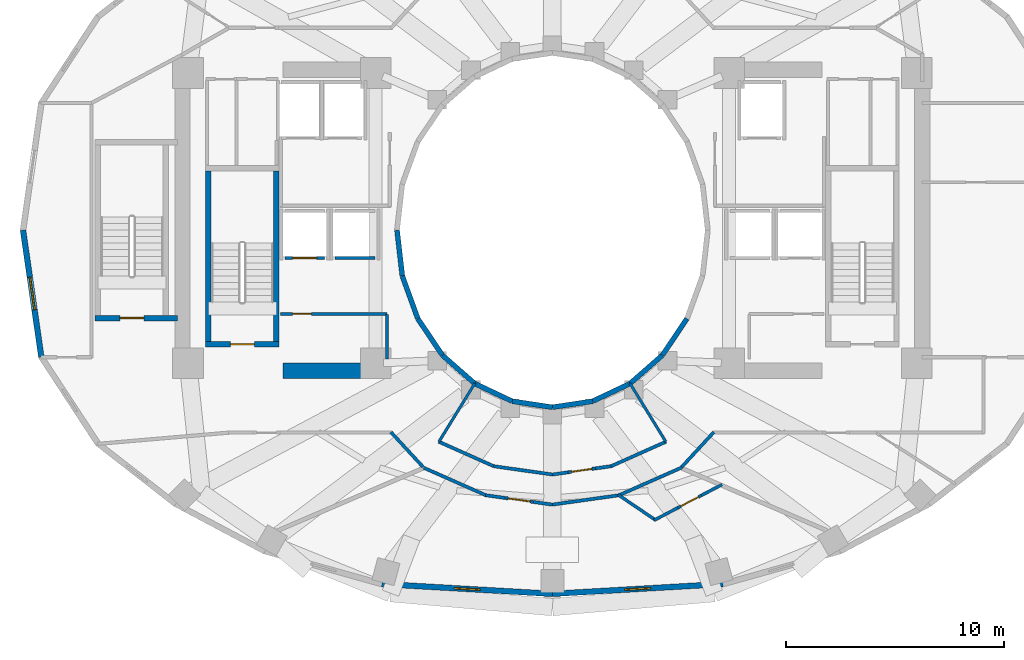
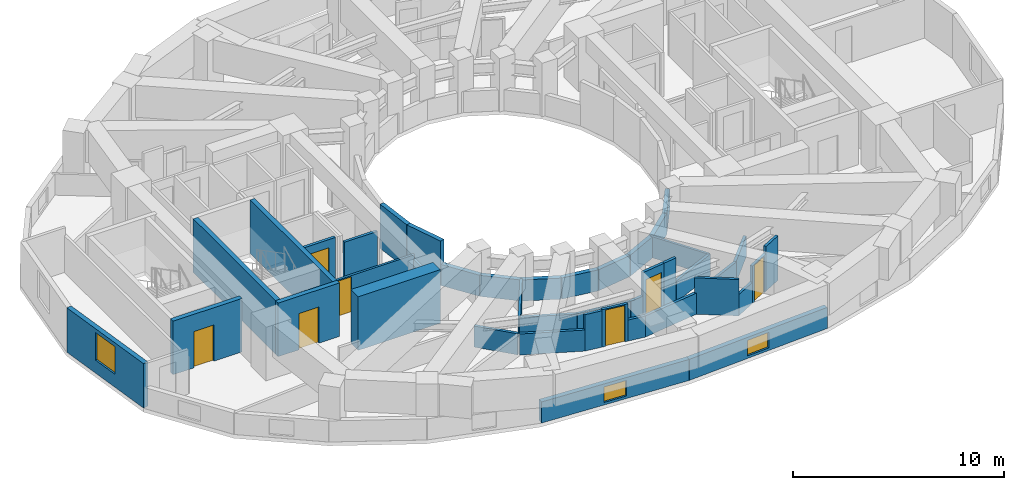
# One storey, part 3 of 9: 42 walls, 7 doors, 3 windows, 10 openings.
"""IFC4 building model written with IfcOpenShell, lengths in metres."""

import ifcopenshell
import ifcopenshell.guid

model = None  # the IFC model being written
_history = None  # IfcOwnerHistory: only IFC2X3 demands one
_inside = {}  # id of a spatial element -> (the spatial element, [elements in it])
_under = {}  # id of a project, library or spatial element -> (it, [spatial elements below it])
_declared = {}  # id of a project -> (the project, [libraries it declares])
_typed = {}  # id of a type object -> (the type object, [elements of that type])
_made_of = {}  # id of a material, layer set ... -> (it, [elements and type objects made of it])


def new_model(schema):
    """Start an empty IFC model of exactly this schema.

    Asked for "IFC4X3", IfcOpenShell would pick the latest addendum, in which some entities
    have other attributes; the version numbers below select the first issue.
    IFC2X3 requires an IfcOwnerHistory on every rooted entity: one is made here for all.
    """
    global model, _history
    if schema == "IFC4X3":
        model = ifcopenshell.file(schema_version=(4, 3, 0, 0))
    else:
        model = ifcopenshell.file(schema=schema)
    _inside.clear()
    _under.clear()
    _declared.clear()
    _typed.clear()
    _made_of.clear()
    _history = None
    if model.schema == "IFC2X3":
        org = make("IfcOrganization", Name="unknown")
        user = make(
            "IfcPersonAndOrganization",
            ThePerson=make("IfcPerson", FamilyName="unknown"),
            TheOrganization=org,
        )
        app = make(
            "IfcApplication",
            ApplicationDeveloper=org,
            Version="unknown",
            ApplicationFullName="unknown",
            ApplicationIdentifier="unknown",
        )
        _history = make(
            "IfcOwnerHistory",
            OwningUser=user,
            OwningApplication=app,
            ChangeAction="ADDED",
            CreationDate=0,
        )
    return model


def make(cls, **values):
    """One entity of the class cls with the attributes given. An attribute that is None is left unset."""
    return model.create_entity(
        cls, **{name: value for name, value in values.items() if value is not None}
    )


def rooted(cls, **values):
    """An entity with a GlobalId (a new one), such as an element, a storey or a relation."""
    return make(cls, GlobalId=ifcopenshell.guid.new(), OwnerHistory=_history, **values)


def si_unit(unit_type, name, prefix=None):
    """IfcSIUnit, for example si_unit("LENGTHUNIT", "METRE", prefix="MILLI")."""
    return make("IfcSIUnit", UnitType=unit_type, Prefix=prefix, Name=name)


def assignment(units):
    """IfcUnitAssignment: the units of a project."""
    return None if units is None else make("IfcUnitAssignment", Units=units)


def point(xyz):
    """IfcCartesianPoint."""
    return None if xyz is None else make("IfcCartesianPoint", Coordinates=xyz)


def direction(xyz):
    """IfcDirection."""
    return None if xyz is None else make("IfcDirection", DirectionRatios=xyz)


def frame(location, z_axis=None, x_axis=None):
    """IfcAxis2Placement3D, a coordinate frame: its origin and axes. An axis left out is left unset."""
    return make(
        "IfcAxis2Placement3D",
        Location=point(location),
        Axis=direction(z_axis),
        RefDirection=direction(x_axis),
    )


def frame_2d(location, x_axis=None):
    """IfcAxis2Placement2D, a coordinate frame in the plane: its origin and x axis."""
    return make(
        "IfcAxis2Placement2D", Location=point(location), RefDirection=direction(x_axis)
    )


def origin():
    """The frame at (0, 0, 0) with its axes left unset."""
    return frame((0.0, 0.0, 0.0))


def place(relative_to, where):
    """IfcLocalPlacement: puts the frame where relative to a parent placement (None: the world)."""
    return make(
        "IfcLocalPlacement", PlacementRelTo=relative_to, RelativePlacement=where
    )


def context(
    kind, dimensions, precision=None, world=None, true_north=None, identifier=None
):
    """IfcGeometricRepresentationContext, for example the 3D "Model" context."""
    return make(
        "IfcGeometricRepresentationContext",
        ContextIdentifier=identifier,
        ContextType=kind,
        CoordinateSpaceDimension=dimensions,
        Precision=precision,
        WorldCoordinateSystem=world,
        TrueNorth=true_north,
    )


def subcontext(parent, identifier, kind, view, scale=None):
    """IfcGeometricRepresentationSubContext, for example "Body" below "Model"."""
    return make(
        "IfcGeometricRepresentationSubContext",
        ContextIdentifier=identifier,
        ContextType=kind,
        ParentContext=parent,
        TargetScale=scale,
        TargetView=view,
    )


def project(units=None, contexts=None):
    """IfcProject with its units and contexts."""
    return rooted(
        "IfcProject",
        Name="project",
        RepresentationContexts=contexts,
        UnitsInContext=assignment(units),
    )


def spatial(cls, under=None, at=None, **own):
    """A site, building, storey or space (cls), placed at a placement, below another one or the project."""
    s = rooted(cls, ObjectPlacement=at, **own)
    if under is not None:
        _under.setdefault(under.id(), (under, []))[1].append(s)
    return s


def profile(cls, at=None, kind="AREA", **sizes):
    """A parametric profile (cls). Its sizes go by their IFC names, for example OverallWidth=200.0."""
    return make(cls, ProfileType=kind, Position=at, **sizes)


def rectangle(**sizes):
    """IfcRectangleProfileDef."""
    return profile("IfcRectangleProfileDef", **sizes)


def extrude(swept, where, along, depth):
    """IfcExtrudedAreaSolid: the profile swept, set in the frame where, extruded along a direction by depth."""
    return make(
        "IfcExtrudedAreaSolid",
        SweptArea=swept,
        Position=where,
        ExtrudedDirection=direction(along),
        Depth=depth,
    )


def shape(context_of_items, identifier, shape_type, items):
    """IfcShapeRepresentation: the items that make up one representation, for example the "Body"."""
    return make(
        "IfcShapeRepresentation",
        ContextOfItems=context_of_items,
        RepresentationIdentifier=identifier,
        RepresentationType=shape_type,
        Items=items,
    )


def material(Name=None, Category=None):
    """IfcMaterial."""
    return make("IfcMaterial", Name=Name, Category=Category)


def layer(
    of_material, thickness, ventilated=None, Name=None, Category=None, Priority=None
):
    """IfcMaterialLayer: one layer of a wall or slab, of a material (None: an air gap)."""
    return make(
        "IfcMaterialLayer",
        Material=of_material,
        LayerThickness=thickness,
        IsVentilated=ventilated,
        Name=Name,
        Category=Category,
        Priority=Priority,
    )


def layer_set(layers, Name=None):
    """IfcMaterialLayerSet."""
    return make("IfcMaterialLayerSet", MaterialLayers=layers, LayerSetName=Name)


def made_of(thing, what):
    """Note that an element or type object is made of a material, layer set ...; save() writes the relation."""
    if what is not None:
        _made_of.setdefault(what.id(), (what, []))[1].append(thing)
    return thing


def type_object(cls, material=None, **own):
    """A type object (cls), such as IfcWallType, which elements share."""
    return made_of(rooted(cls, **own), material)


def element(
    cls,
    number,
    at=None,
    inside=None,
    cuts=None,
    type_object=None,
    material=None,
    context=None,
    identifier="Body",
    shape_type=None,
    held_by="IfcProductDefinitionShape",
    body=None,
    shapes=None,
    **own,
):
    """One element of the class cls, such as IfcWall. Its Tag is "e" and its number.

    at: its placement. inside: the storey or other place that contains it. cuts: it is an
    opening in that element (IfcRelVoidsElement). A single representation is given by context,
    identifier, shape_type and body (its items); several are given by shapes. held_by: the class
    of the entity that holds the representations. save() writes the other relations.
    """
    e = rooted(cls, Tag="e%d" % number, ObjectPlacement=at, **own)
    if body is not None:
        shapes = [shape(context, identifier, shape_type, body)]
    if shapes is not None:
        e.Representation = make(held_by, Representations=shapes)
    if inside is not None:
        _inside.setdefault(inside.id(), (inside, []))[1].append(e)
    if cuts is not None:
        rooted(
            "IfcRelVoidsElement", RelatingBuildingElement=cuts, RelatedOpeningElement=e
        )
    if type_object is not None:
        _typed.setdefault(type_object.id(), (type_object, []))[1].append(e)
    return made_of(e, material)


def fill(opening, filler):
    """IfcRelFillsElement: the door or window that sits in an opening."""
    return rooted(
        "IfcRelFillsElement",
        RelatingOpeningElement=opening,
        RelatedBuildingElement=filler,
    )


def aggregate(whole, parts):
    """IfcRelAggregates: a whole, such as a stair, and the parts it consists of."""
    return rooted("IfcRelAggregates", RelatingObject=whole, RelatedObjects=parts)


def save(model, path):
    """Write the relations noted so far, then the file.

    IfcRelAggregates (storeys below a building ...), IfcRelContainedInSpatialStructure (elements
    in a storey), IfcRelDefinesByType, IfcRelAssociatesMaterial and IfcRelDeclares: one each for
    every whole, place, type object, material and project.
    """
    for whole, parts in _under.values():
        aggregate(whole, parts)
    for where, things in _inside.values():
        rooted(
            "IfcRelContainedInSpatialStructure",
            RelatedElements=things,
            RelatingStructure=where,
        )
    for kind, things in _typed.values():
        rooted("IfcRelDefinesByType", RelatedObjects=things, RelatingType=kind)
    for what, things in _made_of.values():
        rooted("IfcRelAssociatesMaterial", RelatedObjects=things, RelatingMaterial=what)
    for by, libraries in _declared.values():
        rooted("IfcRelDeclares", RelatingContext=by, RelatedDefinitions=libraries)
    model.write(path)


model = new_model("IFC4")

# Units and contexts
model_context = context("Model", 3, precision=1e-05, world=origin(), true_north=direction((0.0, 1.0)))
body_context = subcontext(model_context, "Body", "Model", "MODEL_VIEW")
ifc_project = project(units=[si_unit("LENGTHUNIT", "METRE"), si_unit("AREAUNIT", "SQUARE_METRE"), si_unit("VOLUMEUNIT", "CUBIC_METRE"), si_unit("PLANEANGLEUNIT", "RADIAN"), si_unit("MASSUNIT", "GRAM", prefix="KILO")], contexts=[model_context])

# Site, building, storey
site_placement = place(None, origin())
site = spatial("IfcSite", under=ifc_project, at=site_placement, CompositionType="ELEMENT")
building_placement = place(site_placement, origin())
building = spatial("IfcBuilding", under=site, at=building_placement, Name="Solvane Sanctuary Tower", CompositionType="ELEMENT")
storey_placement = place(building_placement, frame((0.0, 0.0, 125.89990234375)))
storey = spatial("IfcBuildingStorey", under=building, at=storey_placement, Name="L38", CompositionType="ELEMENT", Elevation=125.89990234375)

# Walls
ifc_material_1 = material(Name="Concrete C60/75", Category="concrete")
ifc_layer_1 = layer(ifc_material_1, 0.699951171875, Name="Concrete C60/75")
ifc_layer_set_1 = layer_set([ifc_layer_1], Name="Concrete C60/75")
wall_type_1 = type_object("IfcWallType", Name="Wall W-CORE-700", PredefinedType="SHEAR", material=ifc_layer_set_1)
wall_1_placement = place(storey_placement, frame((19.64990234375, 16.550048828125, 0.0), z_axis=(0.0, 0.0, 1.0), x_axis=(1.0, 0.0, 0.0)))
element("IfcWall", 1, at=wall_1_placement, inside=storey, type_object=wall_type_1, Name="L38 Core Shear Wall WC-S", PredefinedType="SHEAR", context=body_context, shape_type="SweptSolid", body=[
    extrude(rectangle(XDim=4.5, YDim=0.699951171875, at=frame_2d((2.25, 0.0))), origin(), (0.0, 0.0, 1.0), 3.10009765625),
])
ifc_material_2 = material(Name="Acoustic Gypsum Partition Board")
ifc_layer_2 = layer(ifc_material_2, 0.14990234375, Name="Acoustic Gypsum Partition Board")
ifc_layer_set_2 = layer_set([ifc_layer_2], Name="Acoustic Gypsum Partition Board")
wall_type_2 = type_object("IfcWallType", Name="Wall W-CORR-150", PredefinedType="PARTITIONING", material=ifc_layer_set_2)
for number, where, z_axis, x_axis, name in (
    (2, (26.07177734375, 12.144287109375, 0.0), (0.0, 0.0, 1.0), (-0.677579737957, 0.735449317567, 0.0), "L38 SW Corner Throat Wall"),
    (3, (37.92822265625, 12.144287109375, 0.0), (0.0, 0.0, 1.0), (0.677579737957, 0.735449317567, 0.0), "L38 SE Corner Throat Wall"),
):
    element("IfcWall", number, at=place(storey_placement, frame(where, z_axis=z_axis, x_axis=x_axis)), inside=storey, type_object=wall_type_2, Name=name, PredefinedType="PARTITIONING", context=body_context, shape_type="SweptSolid", body=[
        extrude(rectangle(XDim=2.172607421875, YDim=0.14990234375, at=frame_2d((1.08642578125, 0.0))), origin(), (0.0, 0.0, 1.0), 1.22021484375),
    ])
wall_2_placement = place(storey_placement, frame((26.792724609375, 13.302734375, 0.0), z_axis=(0.0, 0.0, 1.0), x_axis=(0.913145536541, -0.407633694749, 0.0)))
element("IfcWall", 4, at=wall_2_placement, inside=storey, type_object=wall_type_2, Name="L38 Inner Light-Well Corridor Wall S1", PredefinedType="PARTITIONING", context=body_context, shape_type="SweptSolid", body=[
    extrude(rectangle(XDim=2.75634765625, YDim=0.14990234375, at=frame_2d((1.378173828125, 0.0))), origin(), (0.0, 0.0, 1.0), 1.22021484375),
])
wall_3_placement = place(storey_placement, frame((29.305908203125, 12.18017578125, 0.0), z_axis=(0.0, 0.0, 1.0), x_axis=(0.990104912094, -0.14032912402, 0.0)))
element("IfcWall", 5, at=wall_3_placement, inside=storey, type_object=wall_type_2, Name="L38 Inner Light-Well Corridor Wall S1", PredefinedType="PARTITIONING", context=body_context, shape_type="SweptSolid", body=[
    extrude(rectangle(XDim=2.72265625, YDim=0.14990234375, at=frame_2d((1.361328125, 0.0))), origin(), (0.0, 0.0, 1.0), 1.22021484375),
])
wall_4_placement = place(storey_placement, frame((31.998291015625, 11.798095703125, 0.0), z_axis=(0.0, 0.0, 1.0), x_axis=(0.990123563804, 0.140197462175, 0.0)))
element("IfcWall", 6, at=wall_4_placement, inside=storey, type_object=wall_type_2, Name="L38 Inner Light-Well Corridor Wall S1", PredefinedType="PARTITIONING", context=body_context, shape_type="SweptSolid", body=[
    extrude(rectangle(XDim=0.72607421875, YDim=0.14990234375, at=frame_2d((0.363037109375, 0.0))), origin(), (0.0, 0.0, 1.0), 1.22021484375),
])

# Wall, opening, door
wall_5_placement = place(storey_placement, frame((32.71728515625, 11.89990234375, 0.0), z_axis=(0.0, 0.0, 1.0), x_axis=(0.990106496241, 0.140317946468, 0.0)))
wall_5 = element("IfcWall", 7, at=wall_5_placement, inside=storey, type_object=wall_type_2, Name="L38 Inner Light-Well Corridor Wall S1", PredefinedType="PARTITIONING", context=body_context, shape_type="SweptSolid", body=[
    extrude(rectangle(XDim=1.27001953125, YDim=0.14990234375, at=frame_2d((0.635009765625, 0.0))), origin(), (0.0, 0.0, 1.0), 2.5751953125),
])
opening_1_placement = place(wall_5_placement, frame((0.159912109375, 0.0, 0.0)))
opening_1 = element("IfcOpeningElement", 8, at=opening_1_placement, cuts=wall_5, Name="Opening D-L38-22", PredefinedType="OPENING", context=body_context, shape_type="SweptSolid", body=[
    extrude(rectangle(XDim=0.949951171875, YDim=2.10009765625, at=frame_2d((0.47509765625, 1.050048828125))), frame((0.0, 0.0849609375, 0.0), z_axis=(0.0, -1.0, 0.0), x_axis=(1.0, 0.0, 0.0)), (0.0, 0.0, 1.0), 0.169921875),
])
ifc_material_3 = material(Name="Engineered Tropical Hardwood", Category="wood")
door_type_1 = type_object("IfcDoorType", Name="Door D-ROOM-950", OperationType="NOTDEFINED", PredefinedType="DOOR", material=ifc_material_3)
door_1_placement = place(opening_1_placement, origin())
door_1 = element("IfcDoor", 9, at=door_1_placement, inside=storey, type_object=door_type_1, Name="L38 Inner Light-Well Salon Door S1", OperationType="SINGLE_SWING_RIGHT", OverallHeight=2.10009765625, OverallWidth=0.949951171875, PredefinedType="DOOR", context=body_context, shape_type="SweptSolid", body=[
    extrude(rectangle(XDim=0.949951171875, YDim=2.10009765625, at=frame_2d((0.47509765625, 1.050048828125))), frame((0.0, 0.02490234375, 0.0), z_axis=(0.0, -1.0, 0.0), x_axis=(1.0, 0.0, 0.0)), (0.0, 0.0, 1.0), 0.050048828125),
])
fill(opening_1, door_1)

# Walls
wall_6_placement = place(storey_placement, frame((33.974853515625, 12.078125, 0.0), z_axis=(0.0, 0.0, 1.0), x_axis=(0.990083477296, 0.140480276141, 0.0)))
element("IfcWall", 10, at=wall_6_placement, inside=storey, type_object=wall_type_2, Name="L38 Inner Light-Well Corridor Wall S1", PredefinedType="PARTITIONING", context=body_context, shape_type="SweptSolid", body=[
    extrude(rectangle(XDim=0.7265625, YDim=0.14990234375, at=frame_2d((0.36328125, 0.0))), origin(), (0.0, 0.0, 1.0), 2.5751953125),
])
wall_7_placement = place(storey_placement, frame((34.6904296875, 12.17919921875, 0.0), z_axis=(0.0, 0.0, 1.0), x_axis=(0.913145536541, 0.407633694749, 0.0)))
element("IfcWall", 11, at=wall_7_placement, inside=storey, type_object=wall_type_2, Name="L38 Inner Light-Well Corridor Wall S1", PredefinedType="PARTITIONING", context=body_context, shape_type="SweptSolid", body=[
    extrude(rectangle(XDim=2.75634765625, YDim=0.14990234375, at=frame_2d((1.378173828125, 0.0))), origin(), (0.0, 0.0, 1.0), 1.22021484375),
])
wall_8_placement = place(storey_placement, frame((35.003662109375, 10.826416015625, 0.0), z_axis=(0.0, 0.0, 1.0), x_axis=(0.914532088467, 0.404513360922, 0.0)))
element("IfcWall", 12, at=wall_8_placement, inside=storey, type_object=wall_type_2, Name="L38 En-suite Inner Wall S1", PredefinedType="PARTITIONING", context=body_context, shape_type="SweptSolid", body=[
    extrude(rectangle(XDim=3.207275390625, YDim=0.14990234375, at=frame_2d((1.603515625, 0.0))), origin(), (0.0, 0.0, 1.0), 1.22021484375),
])
wall_9_placement = place(storey_placement, frame((26.101806640625, 12.108154296875, 0.0), z_axis=(0.0, 0.0, 1.0), x_axis=(0.914519212393, -0.40454247016, 0.0)))
element("IfcWall", 13, at=wall_9_placement, inside=storey, type_object=wall_type_2, Name="L38 Unit Corridor Wall S1", PredefinedType="PARTITIONING", context=body_context, shape_type="SweptSolid", body=[
    extrude(rectangle(XDim=3.123779296875, YDim=0.14990234375, at=frame_2d((1.56201171875, 0.0))), origin(), (0.0, 0.0, 1.0), 1.22021484375),
])
wall_10_placement = place(storey_placement, frame((28.942626953125, 10.84912109375, 0.0), z_axis=(0.0, 0.0, 1.0), x_axis=(0.990238800444, -0.139381197064, 0.0)))
element("IfcWall", 14, at=wall_10_placement, inside=storey, type_object=wall_type_2, Name="L38 Unit Corridor Wall S1", PredefinedType="PARTITIONING", context=body_context, shape_type="SweptSolid", body=[
    extrude(rectangle(XDim=0.88818359375, YDim=0.14990234375, at=frame_2d((0.444091796875, 0.0))), origin(), (0.0, 0.0, 1.0), 2.10498046875),
])

# Wall, opening, door
wall_11_placement = place(storey_placement, frame((29.822021484375, 10.725341796875, 0.0), z_axis=(0.0, 0.0, 1.0), x_axis=(0.990250599082, -0.139297347489, 0.0)))
wall_11 = element("IfcWall", 15, at=wall_11_placement, inside=storey, type_object=wall_type_2, Name="L38 Unit Corridor Wall S1", PredefinedType="PARTITIONING", context=body_context, shape_type="SweptSolid", body=[
    extrude(rectangle(XDim=1.31982421875, YDim=0.14990234375, at=frame_2d((0.659912109375, 0.0))), origin(), (0.0, 0.0, 1.0), 2.16015625),
])
opening_2_placement = place(wall_11_placement, frame((0.159912109375, 0.0, 0.0)))
opening_2 = element("IfcOpeningElement", 16, at=opening_2_placement, cuts=wall_11, Name="Opening D-L38-28", PredefinedType="OPENING", context=body_context, shape_type="SweptSolid", body=[
    extrude(rectangle(XDim=1.0, YDim=2.10009765625, at=frame_2d((0.5, 1.050048828125))), frame((0.0, 0.0849609375, 0.0), z_axis=(0.0, -1.0, 0.0), x_axis=(1.0, 0.0, 0.0)), (0.0, 0.0, 1.0), 0.169921875),
])
door_type_2 = type_object("IfcDoorType", Name="Door D-UNIT", OperationType="NOTDEFINED", PredefinedType="DOOR", material=ifc_material_3)
door_2_placement = place(opening_2_placement, origin())
door_2 = element("IfcDoor", 17, at=door_2_placement, inside=storey, type_object=door_type_2, Name="L38 Unit Entrance Door S1", OperationType="SINGLE_SWING_RIGHT", OverallHeight=2.10009765625, OverallWidth=1.0, PredefinedType="DOOR", context=body_context, shape_type="SweptSolid", body=[
    extrude(rectangle(XDim=1.0, YDim=2.10009765625, at=frame_2d((0.5, 1.050048828125))), frame((0.0, 0.02490234375, 0.0), z_axis=(0.0, -1.0, 0.0), x_axis=(1.0, 0.0, 0.0)), (0.0, 0.0, 1.0), 0.050048828125),
])
fill(opening_2, door_2)

# Walls
wall_12_placement = place(storey_placement, frame((31.12890625, 10.54150390625, 0.0), z_axis=(0.0, 0.0, 1.0), x_axis=(0.990276708961, -0.139111608755, 0.0)))
element("IfcWall", 18, at=wall_12_placement, inside=storey, type_object=wall_type_2, Name="L38 Unit Corridor Wall S1", PredefinedType="PARTITIONING", context=body_context, shape_type="SweptSolid", body=[
    extrude(rectangle(XDim=0.887939453125, YDim=0.14990234375, at=frame_2d((0.44384765625, 0.0))), origin(), (0.0, 0.0, 1.0), 1.22021484375),
])
wall_13_placement = place(storey_placement, frame((31.99169921875, 10.41796875, 0.0), z_axis=(0.0, 0.0, 1.0), x_axis=(0.990254709652, 0.13926812274, 0.0)))
element("IfcWall", 19, at=wall_13_placement, inside=storey, type_object=wall_type_2, Name="L38 Unit Corridor Wall S1", PredefinedType="PARTITIONING", context=body_context, shape_type="SweptSolid", body=[
    extrude(rectangle(XDim=3.095947265625, YDim=0.14990234375, at=frame_2d((1.5478515625, 0.0))), origin(), (0.0, 0.0, 1.0), 1.22021484375),
])

# Wall, opening, window
ifc_material_4 = material(Name="Precast concrete C40/50", Category="concrete")
ifc_layer_3 = layer(ifc_material_4, 0.260009765625, Name="Precast concrete C40/50")
ifc_layer_set_3 = layer_set([ifc_layer_3], Name="Precast concrete C40/50")
wall_type_3 = type_object("IfcWallType", Name="Wall W-EXT-250", PredefinedType="STANDARD", material=ifc_layer_set_3)
wall_14_placement = place(storey_placement, frame((7.739990234375, 23.0, 0.0), z_axis=(0.0, 0.0, 1.0), x_axis=(0.142572472068, -0.98978436551, 0.0)))
wall_14 = element("IfcWall", 20, at=wall_14_placement, inside=storey, type_object=wall_type_3, Name="L38 Ceramic-Printed Facade Wall 12", PredefinedType="STANDARD", context=body_context, shape_type="SweptSolid", body=[
    extrude(rectangle(XDim=5.878662109375, YDim=0.260009765625, at=frame_2d((2.939453125, 0.0))), origin(), (0.0, 0.0, 1.0), 2.570068359375),
])
opening_3_placement = place(wall_14_placement, frame((2.189453125, 0.0, 0.75)))
opening_3 = element("IfcOpeningElement", 21, at=opening_3_placement, cuts=wall_14, Name="Opening WN-OPER-1500", PredefinedType="OPENING", context=body_context, shape_type="SweptSolid", body=[
    extrude(rectangle(XDim=1.5, YDim=1.60009765625, at=frame_2d((0.75, 0.800048828125))), frame((0.0, 0.139892578125, 0.0), z_axis=(0.0, -1.0, 0.0), x_axis=(1.0, 0.0, 0.0)), (0.0, 0.0, 1.0), 0.280029296875),
])
ifc_material_5 = material(Name="Dark Ceramic-Fritted Low-E Glass", Category="glass")
window_type_1 = type_object("IfcWindowType", Name="Window WN-OPER-1500", PartitioningType="SINGLE_PANEL", PredefinedType="WINDOW", material=ifc_material_5)
window_1_placement = place(opening_3_placement, origin())
window_1 = element("IfcWindow", 22, at=window_1_placement, inside=storey, type_object=window_type_1, Name="L38 Operable Facade Window 12", OverallHeight=1.60009765625, OverallWidth=1.5, PartitioningType="SINGLE_PANEL", PredefinedType="WINDOW", context=body_context, shape_type="SweptSolid", body=[
    extrude(rectangle(XDim=1.5, YDim=1.60009765625, at=frame_2d((0.75, 0.800048828125))), frame((0.0, 0.030029296875, 0.0), z_axis=(0.0, -1.0, 0.0), x_axis=(1.0, 0.0, 0.0)), (0.0, 0.0, 1.0), 0.06005859375),
])
fill(opening_3, window_1)

wall_15_placement = place(storey_placement, frame((24.18359375, 6.7783203125, 0.0), z_axis=(0.0, 0.0, 1.0), x_axis=(0.998352606703, -0.057376586592, 0.0)))
wall_15 = element("IfcWall", 23, at=wall_15_placement, inside=storey, type_object=wall_type_3, Name="L38 Ceramic-Printed Facade Wall 17", PredefinedType="STANDARD", context=body_context, shape_type="SweptSolid", body=[
    extrude(rectangle(XDim=7.829345703125, YDim=0.260009765625, at=frame_2d((3.91455078125, 0.0))), origin(), (0.0, 0.0, 1.0), 1.22021484375),
])
opening_4_placement = place(wall_15_placement, frame((3.314697265625, 0.0, 0.14990234375)))
opening_4 = element("IfcOpeningElement", 24, at=opening_4_placement, cuts=wall_15, Name="Opening WN-OPER-1200", PredefinedType="OPENING", context=body_context, shape_type="SweptSolid", body=[
    extrude(rectangle(XDim=1.199951171875, YDim=0.89990234375, at=frame_2d((0.60009765625, 0.449951171875))), frame((0.0, 0.139892578125, 0.0), z_axis=(0.0, -1.0, 0.0), x_axis=(1.0, 0.0, 0.0)), (0.0, 0.0, 1.0), 0.280029296875),
])
window_type_2 = type_object("IfcWindowType", Name="Window WN-OPER-1200", PartitioningType="SINGLE_PANEL", PredefinedType="WINDOW", material=ifc_material_5)
window_2_placement = place(opening_4_placement, origin())
window_2 = element("IfcWindow", 25, at=window_2_placement, inside=storey, type_object=window_type_2, Name="L38 Operable Facade Window 17", OverallHeight=0.89990234375, OverallWidth=1.199951171875, PartitioningType="SINGLE_PANEL", PredefinedType="WINDOW", context=body_context, shape_type="SweptSolid", body=[
    extrude(rectangle(XDim=1.199951171875, YDim=0.89990234375, at=frame_2d((0.60009765625, 0.449951171875))), frame((0.0, 0.030029296875, 0.0), z_axis=(0.0, -1.0, 0.0), x_axis=(1.0, 0.0, 0.0)), (0.0, 0.0, 1.0), 0.06005859375),
])
fill(opening_4, window_2)

wall_16_placement = place(storey_placement, frame((32.0, 6.3291015625, 0.0), z_axis=(0.0, 0.0, 1.0), x_axis=(0.998352606703, 0.057376586592, 0.0)))
wall_16 = element("IfcWall", 26, at=wall_16_placement, inside=storey, type_object=wall_type_3, Name="L38 Ceramic-Printed Facade Wall 18", PredefinedType="STANDARD", context=body_context, shape_type="SweptSolid", body=[
    extrude(rectangle(XDim=7.829345703125, YDim=0.260009765625, at=frame_2d((3.91455078125, 0.0))), origin(), (0.0, 0.0, 1.0), 1.22021484375),
])
opening_5_placement = place(wall_16_placement, frame((3.314697265625, 0.0, 0.14990234375)))
opening_5 = element("IfcOpeningElement", 27, at=opening_5_placement, cuts=wall_16, Name="Opening WN-OPER-1200", PredefinedType="OPENING", context=body_context, shape_type="SweptSolid", body=[
    extrude(rectangle(XDim=1.199951171875, YDim=0.89990234375, at=frame_2d((0.60009765625, 0.449951171875))), frame((0.0, 0.139892578125, 0.0), z_axis=(0.0, -1.0, 0.0), x_axis=(1.0, 0.0, 0.0)), (0.0, 0.0, 1.0), 0.280029296875),
])
window_3_placement = place(opening_5_placement, origin())
window_3 = element("IfcWindow", 28, at=window_3_placement, inside=storey, type_object=window_type_2, Name="L38 Operable Facade Window 18", OverallHeight=0.89990234375, OverallWidth=1.199951171875, PartitioningType="SINGLE_PANEL", PredefinedType="WINDOW", context=body_context, shape_type="SweptSolid", body=[
    extrude(rectangle(XDim=1.199951171875, YDim=0.89990234375, at=frame_2d((0.60009765625, 0.449951171875))), frame((0.0, 0.030029296875, 0.0), z_axis=(0.0, -1.0, 0.0), x_axis=(1.0, 0.0, 0.0)), (0.0, 0.0, 1.0), 0.06005859375),
])
fill(opening_5, window_3)

# Walls
ifc_layer_4 = layer(ifc_material_4, 0.22998046875, Name="Precast concrete C40/50")
ifc_layer_set_4 = layer_set([ifc_layer_4], Name="Precast concrete C40/50")
wall_type_4 = type_object("IfcWallType", Name="Wall W-EXT-SP220", PredefinedType="STANDARD", material=ifc_layer_set_4)
wall_17_placement = place(storey_placement, frame((24.8798828125, 23.0, 0.0), z_axis=(0.0, 0.0, 1.0), x_axis=(0.114711713601, -0.993398823617, 0.0)))
element("IfcWall", 29, at=wall_17_placement, inside=storey, type_object=wall_type_4, Name="L38 Central Light-Well Wall 12", PredefinedType="STANDARD", context=body_context, shape_type="SweptSolid", body=[
    extrude(rectangle(XDim=2.115478515625, YDim=0.22998046875, at=frame_2d((1.0576171875, 0.0))), origin(), (0.0, 0.0, 1.0), 2.56005859375),
])
wall_18_placement = place(storey_placement, frame((25.12255859375, 20.8984375, 0.0), z_axis=(0.0, 0.0, 1.0), x_axis=(0.341423187295, -0.93990968033, 0.0)))
element("IfcWall", 30, at=wall_18_placement, inside=storey, type_object=wall_type_4, Name="L38 Central Light-Well Wall 13", PredefinedType="STANDARD", context=body_context, shape_type="SweptSolid", body=[
    extrude(rectangle(XDim=2.083740234375, YDim=0.22998046875, at=frame_2d((1.0419921875, 0.0))), origin(), (0.0, 0.0, 1.0), 2.56005859375),
])
wall_19_placement = place(storey_placement, frame((25.833984375, 18.93994140625, 0.0), z_axis=(0.0, 0.0, 1.0), x_axis=(0.558197800898, -0.829707909492, 0.0)))
element("IfcWall", 31, at=wall_19_placement, inside=storey, type_object=wall_type_4, Name="L38 Central Light-Well Wall 14", PredefinedType="STANDARD", context=body_context, shape_type="SweptSolid", body=[
    extrude(rectangle(XDim=2.02685546875, YDim=0.22998046875, at=frame_2d((1.013427734375, 0.0))), origin(), (0.0, 0.0, 1.0), 1.22021484375),
])
wall_20_placement = place(storey_placement, frame((26.96533203125, 17.25830078125, 0.0), z_axis=(0.0, 0.0, 1.0), x_axis=(0.752576694707, -0.658504607869, 0.0)))
element("IfcWall", 32, at=wall_20_placement, inside=storey, type_object=wall_type_4, Name="L38 Central Light-Well Wall 15", PredefinedType="STANDARD", context=body_context, shape_type="SweptSolid", body=[
    extrude(rectangle(XDim=1.95947265625, YDim=0.22998046875, at=frame_2d((0.979736328125, 0.0))), origin(), (0.0, 0.0, 1.0), 1.22021484375),
])
wall_21_placement = place(storey_placement, frame((28.43994140625, 15.968017578125, 0.0), z_axis=(0.0, 0.0, 1.0), x_axis=(0.904179699603, -0.427152280606, 0.0)))
element("IfcWall", 33, at=wall_21_placement, inside=storey, type_object=wall_type_4, Name="L38 Central Light-Well Wall 16", PredefinedType="STANDARD", context=body_context, shape_type="SweptSolid", body=[
    extrude(rectangle(XDim=1.899169921875, YDim=0.22998046875, at=frame_2d((0.94970703125, 0.0))), origin(), (0.0, 0.0, 1.0), 1.22021484375),
])
for number, where, z_axis, x_axis, name in (
    (34, (30.1572265625, 15.15673828125, 0.0), (0.0, 0.0, 1.0), (0.988901730308, -0.148571086668, 0.0), "L38 Central Light-Well Wall 17"),
    (35, (32.0, 14.8798828125, 0.0), (0.0, 0.0, 1.0), (0.988901730308, 0.148571086668, 0.0), "L38 Central Light-Well Wall 18"),
):
    element("IfcWall", number, at=place(storey_placement, frame(where, z_axis=z_axis, x_axis=x_axis)), inside=storey, type_object=wall_type_4, Name=name, PredefinedType="STANDARD", context=body_context, shape_type="SweptSolid", body=[
        extrude(rectangle(XDim=1.863525390625, YDim=0.22998046875, at=frame_2d((0.931640625, 0.0))), origin(), (0.0, 0.0, 1.0), 1.22021484375),
    ])
wall_22_placement = place(storey_placement, frame((33.8427734375, 15.15673828125, 0.0), z_axis=(0.0, 0.0, 1.0), x_axis=(0.904179699603, 0.427152280606, 0.0)))
element("IfcWall", 36, at=wall_22_placement, inside=storey, type_object=wall_type_4, Name="L38 Central Light-Well Wall 19", PredefinedType="STANDARD", context=body_context, shape_type="SweptSolid", body=[
    extrude(rectangle(XDim=1.899169921875, YDim=0.22998046875, at=frame_2d((0.94970703125, 0.0))), origin(), (0.0, 0.0, 1.0), 1.22021484375),
])
wall_23_placement = place(storey_placement, frame((35.56005859375, 15.968017578125, 0.0), z_axis=(0.0, 0.0, 1.0), x_axis=(0.752576694707, 0.658504607869, 0.0)))
element("IfcWall", 37, at=wall_23_placement, inside=storey, type_object=wall_type_4, Name="L38 Central Light-Well Wall 20", PredefinedType="STANDARD", context=body_context, shape_type="SweptSolid", body=[
    extrude(rectangle(XDim=1.95947265625, YDim=0.22998046875, at=frame_2d((0.979736328125, 0.0))), origin(), (0.0, 0.0, 1.0), 1.22021484375),
])
wall_24_placement = place(storey_placement, frame((37.03466796875, 17.25830078125, 0.0), z_axis=(0.0, 0.0, 1.0), x_axis=(0.558197800898, 0.829707909492, 0.0)))
element("IfcWall", 38, at=wall_24_placement, inside=storey, type_object=wall_type_4, Name="L38 Central Light-Well Wall 21", PredefinedType="STANDARD", context=body_context, shape_type="SweptSolid", body=[
    extrude(rectangle(XDim=2.02685546875, YDim=0.22998046875, at=frame_2d((1.013427734375, 0.0))), origin(), (0.0, 0.0, 1.0), 1.22021484375),
])

# Wall, opening, door
ifc_layer_5 = layer(ifc_material_2, 0.125, Name="Acoustic Gypsum Partition Board")
ifc_layer_set_5 = layer_set([ifc_layer_5], Name="Acoustic Gypsum Partition Board")
wall_type_5 = type_object("IfcWallType", Name="Wall W-PART-125", PredefinedType="PARTITIONING", material=ifc_layer_set_5)
wall_25_placement = place(storey_placement, frame((19.550048828125, 19.159912109375, 0.0), z_axis=(0.0, 0.0, 1.0), x_axis=(1.0, 0.0, 0.0)))
wall_25 = element("IfcWall", 39, at=wall_25_placement, inside=storey, type_object=wall_type_5, Name="L38 Reclaimed Room Partition PLW", PredefinedType="PARTITIONING", context=body_context, shape_type="SweptSolid", body=[
    extrude(rectangle(XDim=4.869873046875, YDim=0.125, at=frame_2d((2.43505859375, 0.0))), origin(), (0.0, 0.0, 1.0), 2.1201171875),
])
opening_6_placement = place(wall_25_placement, frame((0.550048828125, 0.0, 0.0)))
opening_6 = element("IfcOpeningElement", 40, at=opening_6_placement, cuts=wall_25, Name="Opening D-L38-06", PredefinedType="OPENING", context=body_context, shape_type="SweptSolid", body=[
    extrude(rectangle(XDim=0.85009765625, YDim=2.050048828125, at=frame_2d((0.425048828125, 1.02490234375))), frame((0.0, 0.072509765625, 0.0), z_axis=(0.0, -1.0, 0.0), x_axis=(1.0, 0.0, 0.0)), (0.0, 0.0, 1.0), 0.14501953125),
])
ifc_material_6 = material(Name="Architectural Stainless Steel 316", Category="steel")
door_type_3 = type_object("IfcDoorType", Name="Door D-RISER", OperationType="NOTDEFINED", PredefinedType="DOOR", material=ifc_material_6)
door_3_placement = place(opening_6_placement, origin())
door_3 = element("IfcDoor", 41, at=door_3_placement, inside=storey, type_object=door_type_3, Name="L38 Reclaimed Room Door PLW-1", OperationType="SINGLE_SWING_RIGHT", OverallHeight=2.050048828125, OverallWidth=0.85009765625, PredefinedType="DOOR", context=body_context, shape_type="SweptSolid", body=[
    extrude(rectangle(XDim=0.85009765625, YDim=2.050048828125, at=frame_2d((0.425048828125, 1.02490234375))), frame((0.0, 0.02490234375, 0.0), z_axis=(0.0, -1.0, 0.0), x_axis=(1.0, 0.0, 0.0)), (0.0, 0.0, 1.0), 0.050048828125),
])
fill(opening_6, door_3)

# Walls
wall_26_placement = place(storey_placement, frame((24.419921875, 17.10009765625, 0.0), z_axis=(0.0, 0.0, 1.0), x_axis=(0.0, 1.0, 0.0)))
element("IfcWall", 42, at=wall_26_placement, inside=storey, type_object=wall_type_5, Name="L38 Reclaimed Room Closer Wall PLW-1", PredefinedType="PARTITIONING", context=body_context, shape_type="SweptSolid", body=[
    extrude(rectangle(XDim=2.039794921875, YDim=0.125, at=frame_2d((1.02001953125, 0.0))), origin(), (0.0, 0.0, 1.0), 1.873046875),
])
for number, where, z_axis, x_axis, name in (
    (43, (28.449951171875, 15.985107421875, 0.0), (0.0, 0.0, 1.0), (-0.523587550846, -0.851971875474, 0.0), "L38 Inner Light-Well Radial Wall 240"),
    (44, (35.550048828125, 15.985107421875, 0.0), (0.0, 0.0, 1.0), (0.523587550846, -0.851971875474, 0.0), "L38 Inner Light-Well Radial Wall 300"),
):
    element("IfcWall", number, at=place(storey_placement, frame(where, z_axis=z_axis, x_axis=x_axis)), inside=storey, type_object=wall_type_5, Name=name, PredefinedType="PARTITIONING", context=body_context, shape_type="SweptSolid", body=[
        extrude(rectangle(XDim=3.153076171875, YDim=0.125, at=frame_2d((1.57666015625, 0.0))), origin(), (0.0, 0.0, 1.0), 1.22021484375),
    ])

# Wall, opening, door
ifc_material_7 = material(Name="Concrete C50/60", Category="concrete")
ifc_layer_6 = layer(ifc_material_7, 0.14990234375, Name="Concrete C50/60")
ifc_layer_set_6 = layer_set([ifc_layer_6], Name="Concrete C50/60")
wall_type_6 = type_object("IfcWallType", Name="Wall W-SHAFT-150", PredefinedType="SOLIDWALL", material=ifc_layer_set_6)
wall_27_placement = place(storey_placement, frame((19.739990234375, 21.719970703125, 0.0), z_axis=(0.0, 0.0, 1.0), x_axis=(1.0, 0.0, 0.0)))
wall_27 = element("IfcWall", 45, at=wall_27_placement, inside=storey, type_object=wall_type_6, Name="L38 PM-1 Lift Shaft Wall F", PredefinedType="SOLIDWALL", context=body_context, shape_type="SweptSolid", body=[
    extrude(rectangle(XDim=1.820068359375, YDim=0.14990234375, at=frame_2d((0.91015625, 0.0))), origin(), (0.0, 0.0, 1.0), 2.5751953125),
])
opening_7_placement = place(wall_27_placement, frame((0.360107421875, 0.0, 0.0)))
opening_7 = element("IfcOpeningElement", 46, at=opening_7_placement, cuts=wall_27, Name="Opening LD-L38-01", PredefinedType="OPENING", context=body_context, shape_type="SweptSolid", body=[
    extrude(rectangle(XDim=1.10009765625, YDim=2.10009765625, at=frame_2d((0.550048828125, 1.050048828125))), frame((0.0, 0.0849609375, 0.0), z_axis=(0.0, -1.0, 0.0), x_axis=(1.0, 0.0, 0.0)), (0.0, 0.0, 1.0), 0.169921875),
])
door_type_4 = type_object("IfcDoorType", Name="Door LD-PASS-1100", OperationType="NOTDEFINED", PredefinedType="DOOR", material=ifc_material_6)
door_4_placement = place(opening_7_placement, origin())
door_4 = element("IfcDoor", 47, at=door_4_placement, inside=storey, type_object=door_type_4, Name="L38 PM-1 Lift Landing Door", OperationType="DOUBLE_DOOR_SLIDING", OverallHeight=2.10009765625, OverallWidth=1.10009765625, PredefinedType="DOOR", context=body_context, shape_type="SweptSolid", body=[
    extrude(rectangle(XDim=1.10009765625, YDim=2.10009765625, at=frame_2d((0.550048828125, 1.050048828125))), frame((0.0, 0.02490234375, 0.0), z_axis=(0.0, -1.0, 0.0), x_axis=(1.0, 0.0, 0.0)), (0.0, 0.0, 1.0), 0.050048828125),
])
fill(opening_7, door_4)

# Wall
wall_28_placement = place(storey_placement, frame((22.0400390625, 21.719970703125, 0.0), z_axis=(0.0, 0.0, 1.0), x_axis=(1.0, 0.0, 0.0)))
element("IfcWall", 48, at=wall_28_placement, inside=storey, type_object=wall_type_6, Name="L38 PH-1 Lift Shaft Wall F", PredefinedType="SOLIDWALL", context=body_context, shape_type="SweptSolid", body=[
    extrude(rectangle(XDim=1.820068359375, YDim=0.14990234375, at=frame_2d((0.91015625, 0.0))), origin(), (0.0, 0.0, 1.0), 2.1201171875),
])

# Wall, opening, door
ifc_layer_7 = layer(ifc_material_7, 0.25, Name="Concrete C50/60")
ifc_layer_set_7 = layer_set([ifc_layer_7], Name="Concrete C50/60")
wall_type_7 = type_object("IfcWallType", Name="Wall W-SHAFT-250", PredefinedType="SOLIDWALL", material=ifc_layer_set_7)
wall_29_placement = place(storey_placement, frame((16.10498046875, 17.77001953125, 0.0), z_axis=(0.0, 0.0, 1.0), x_axis=(1.0, 0.0, 0.0)))
wall_29 = element("IfcWall", 49, at=wall_29_placement, inside=storey, type_object=wall_type_7, Name="L38 ST-1 Load-Bearing Shaft Wall S", PredefinedType="SOLIDWALL", context=body_context, shape_type="SweptSolid", body=[
    extrude(rectangle(XDim=3.3701171875, YDim=0.25, at=frame_2d((1.68505859375, 0.0))), origin(), (0.0, 0.0, 1.0), 3.10009765625),
])
opening_8_placement = place(wall_29_placement, frame((1.135009765625, 0.0, 0.0)))
opening_8 = element("IfcOpeningElement", 50, at=opening_8_placement, cuts=wall_29, Name="Opening D-L38-01", PredefinedType="OPENING", context=body_context, shape_type="SweptSolid", body=[
    extrude(rectangle(XDim=1.10009765625, YDim=2.10009765625, at=frame_2d((0.550048828125, 1.050048828125))), frame((0.0, 0.135009765625, 0.0), z_axis=(0.0, -1.0, 0.0), x_axis=(1.0, 0.0, 0.0)), (0.0, 0.0, 1.0), 0.27001953125),
])
door_type_5 = type_object("IfcDoorType", Name="Door D-STAIR", OperationType="NOTDEFINED", PredefinedType="DOOR", material=ifc_material_6)
door_5_placement = place(opening_8_placement, origin())
door_5 = element("IfcDoor", 51, at=door_5_placement, inside=storey, type_object=door_type_5, Name="L38 ST-1 Exit Stair Fire Door", OperationType="SINGLE_SWING_RIGHT", OverallHeight=2.10009765625, OverallWidth=1.10009765625, PredefinedType="DOOR", context=body_context, shape_type="SweptSolid", body=[
    extrude(rectangle(XDim=1.10009765625, YDim=2.10009765625, at=frame_2d((0.550048828125, 1.050048828125))), frame((0.0, 0.02490234375, 0.0), z_axis=(0.0, -1.0, 0.0), x_axis=(1.0, 0.0, 0.0)), (0.0, 0.0, 1.0), 0.050048828125),
])
fill(opening_8, door_5)

# Walls
for number, where, z_axis, x_axis, name in (
    (52, (16.22998046875, 17.89501953125, 0.0), (0.0, 0.0, 1.0), (0.0, 1.0, 0.0), "L38 ST-1 Load-Bearing Shaft Wall W"),
    (53, (19.35009765625, 17.89501953125, 0.0), (0.0, 0.0, 1.0), (0.0, 1.0, 0.0), "L38 ST-1 Load-Bearing Shaft Wall E"),
):
    element("IfcWall", number, at=place(storey_placement, frame(where, z_axis=z_axis, x_axis=x_axis)), inside=storey, type_object=wall_type_7, Name=name, PredefinedType="SOLIDWALL", context=body_context, shape_type="SweptSolid", body=[
        extrude(rectangle(XDim=7.81005859375, YDim=0.25, at=frame_2d((3.905029296875, 0.0))), origin(), (0.0, 0.0, 1.0), 3.10009765625),
    ])

# Wall, opening, door
wall_30_placement = place(storey_placement, frame((11.044921875, 18.969970703125, 0.0), z_axis=(0.0, 0.0, 1.0), x_axis=(1.0, 0.0, 0.0)))
wall_30 = element("IfcWall", 54, at=wall_30_placement, inside=storey, type_object=wall_type_7, Name="L38 ST-3 Load-Bearing Shaft Wall S", PredefinedType="SOLIDWALL", context=body_context, shape_type="SweptSolid", body=[
    extrude(rectangle(XDim=3.781982421875, YDim=0.25, at=frame_2d((1.89111328125, 0.0))), origin(), (0.0, 0.0, 1.0), 3.10009765625),
])
opening_9_placement = place(wall_30_placement, frame((1.135009765625, 0.0, 0.0)))
opening_9 = element("IfcOpeningElement", 55, at=opening_9_placement, cuts=wall_30, Name="Opening D-L38-03", PredefinedType="OPENING", context=body_context, shape_type="SweptSolid", body=[
    extrude(rectangle(XDim=1.10009765625, YDim=2.10009765625, at=frame_2d((0.550048828125, 1.050048828125))), frame((0.0, 0.135009765625, 0.0), z_axis=(0.0, -1.0, 0.0), x_axis=(1.0, 0.0, 0.0)), (0.0, 0.0, 1.0), 0.27001953125),
])
door_6_placement = place(opening_9_placement, origin())
door_6 = element("IfcDoor", 56, at=door_6_placement, inside=storey, type_object=door_type_5, Name="L38 ST-3 Exit Stair Fire Door", OperationType="SINGLE_SWING_RIGHT", OverallHeight=2.10009765625, OverallWidth=1.10009765625, PredefinedType="DOOR", context=body_context, shape_type="SweptSolid", body=[
    extrude(rectangle(XDim=1.10009765625, YDim=2.10009765625, at=frame_2d((0.550048828125, 1.050048828125))), frame((0.0, 0.02490234375, 0.0), z_axis=(0.0, -1.0, 0.0), x_axis=(1.0, 0.0, 0.0)), (0.0, 0.0, 1.0), 0.050048828125),
])
fill(opening_9, door_6)

# Walls
ifc_layer_8 = layer(ifc_material_2, 0.139892578125, Name="Acoustic Gypsum Partition Board")
ifc_layer_set_8 = layer_set([ifc_layer_8], Name="Acoustic Gypsum Partition Board")
wall_type_8 = type_object("IfcWallType", Name="Wall W-WET-140", PredefinedType="PLUMBINGWALL", material=ifc_layer_set_8)
wall_31_placement = place(storey_placement, frame((35.008056640625, 10.874755859375, 0.0), z_axis=(0.0, 0.0, 1.0), x_axis=(0.828185016676, -0.560454795816, 0.0)))
element("IfcWall", 57, at=wall_31_placement, inside=storey, type_object=wall_type_8, Name="L38 En-suite Side Partition S1", PredefinedType="PLUMBINGWALL", context=body_context, shape_type="SweptSolid", body=[
    extrude(rectangle(XDim=2.10009765625, YDim=0.139892578125, at=frame_2d((1.050048828125, 0.0))), origin(), (0.0, 0.0, 1.0), 2.10498046875),
])
wall_32_placement = place(storey_placement, frame((36.66162109375, 9.702392578125, 0.0), z_axis=(0.0, 0.0, 1.0), x_axis=(0.885137091245, 0.465330344704, 0.0)))
element("IfcWall", 58, at=wall_32_placement, inside=storey, type_object=wall_type_8, Name="L38 En-suite Bedroom Wall S1", PredefinedType="PLUMBINGWALL", context=body_context, shape_type="SweptSolid", body=[
    extrude(rectangle(XDim=1.2333984375, YDim=0.139892578125, at=frame_2d((0.61669921875, 0.0))), origin(), (0.0, 0.0, 1.0), 1.22021484375),
])

# Wall, opening, door
wall_33_placement = place(storey_placement, frame((37.75341796875, 10.2763671875, 0.0), z_axis=(0.0, 0.0, 1.0), x_axis=(0.885239285073, 0.465135902896, 0.0)))
wall_33 = element("IfcWall", 59, at=wall_33_placement, inside=storey, type_object=wall_type_8, Name="L38 En-suite Bedroom Wall S1", PredefinedType="PLUMBINGWALL", context=body_context, shape_type="SweptSolid", body=[
    extrude(rectangle(XDim=1.2197265625, YDim=0.139892578125, at=frame_2d((0.60986328125, 0.0))), origin(), (0.0, 0.0, 1.0), 2.16015625),
])
opening_10_placement = place(wall_33_placement, frame((0.159912109375, 0.0, 0.0)))
opening_10 = element("IfcOpeningElement", 60, at=opening_10_placement, cuts=wall_33, Name="Opening D-L38-27", PredefinedType="OPENING", context=body_context, shape_type="SweptSolid", body=[
    extrude(rectangle(XDim=0.89990234375, YDim=2.10009765625, at=frame_2d((0.449951171875, 1.050048828125))), frame((0.0, 0.079833984375, 0.0), z_axis=(0.0, -1.0, 0.0), x_axis=(1.0, 0.0, 0.0)), (0.0, 0.0, 1.0), 0.159912109375),
])
door_type_6 = type_object("IfcDoorType", Name="Door D-WET-900", OperationType="NOTDEFINED", PredefinedType="DOOR", material=ifc_material_3)
door_7_placement = place(opening_10_placement, origin())
door_7 = element("IfcDoor", 61, at=door_7_placement, inside=storey, type_object=door_type_6, Name="L38 En-suite Bathroom Door S1", OperationType="SINGLE_SWING_LEFT", OverallHeight=2.10009765625, OverallWidth=0.89990234375, PredefinedType="DOOR", context=body_context, shape_type="SweptSolid", body=[
    extrude(rectangle(XDim=0.89990234375, YDim=2.10009765625, at=frame_2d((0.449951171875, 1.050048828125))), frame((0.0, 0.02490234375, 0.0), z_axis=(0.0, -1.0, 0.0), x_axis=(1.0, 0.0, 0.0)), (0.0, 0.0, 1.0), 0.050048828125),
])
fill(opening_10, door_7)

# Wall
wall_34_placement = place(storey_placement, frame((38.833251953125, 10.84375, 0.0), z_axis=(0.0, 0.0, 1.0), x_axis=(0.885182478811, 0.465243999645, 0.0)))
element("IfcWall", 62, at=wall_34_placement, inside=storey, type_object=wall_type_8, Name="L38 En-suite Bedroom Wall S1", PredefinedType="PLUMBINGWALL", context=body_context, shape_type="SweptSolid", body=[
    extrude(rectangle(XDim=1.0615234375, YDim=0.139892578125, at=frame_2d((0.53076171875, 0.0))), origin(), (0.0, 0.0, 1.0), 2.5751953125),
])

save(model, "model.ifc")
